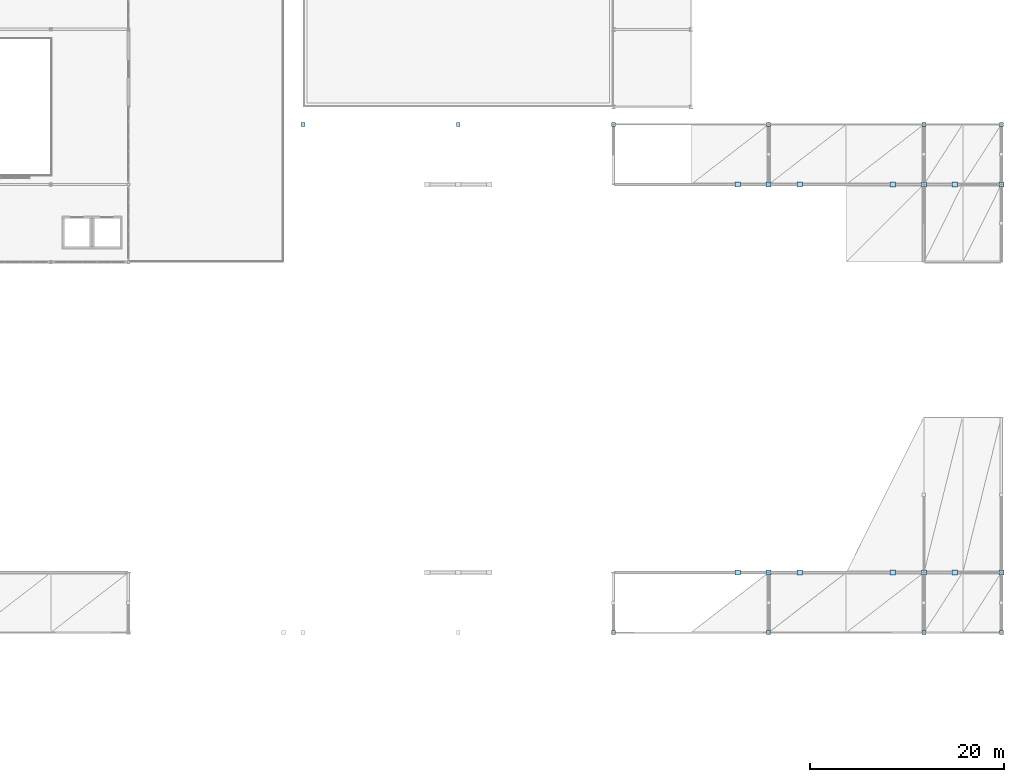
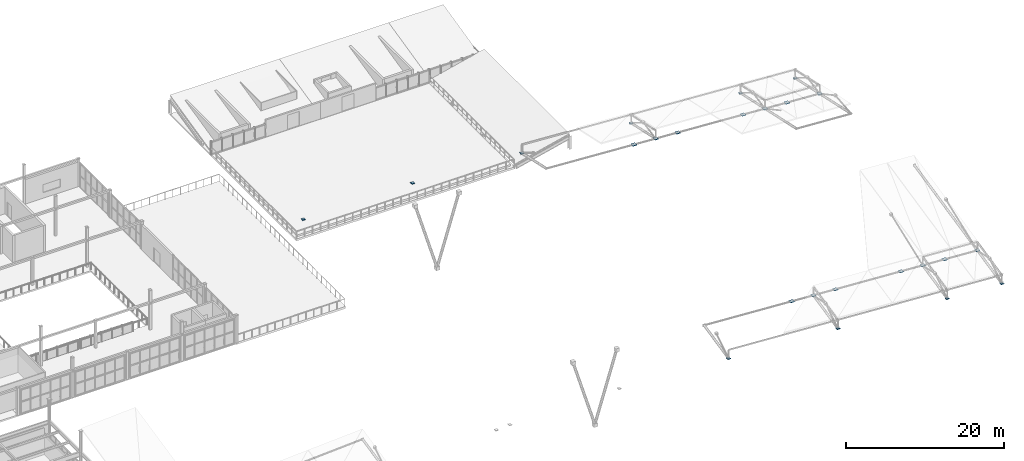
# One storey, part 53 of 83: 24 plates.
"""IFC4 building model written with IfcOpenShell, lengths in metres."""

from ifc_helpers import new_model, si_unit, direction, frame, origin, origin_2d, place, context, subcontext, project, spatial, rectangle, extrude, material, layer, layer_set, type_object, element, save


model = new_model("IFC4")

# Units and contexts
model_context = context("Model", 3, precision=1e-05, world=origin(), true_north=direction((0.0, 1.0)))
body_context = subcontext(model_context, "Body", "Model", "MODEL_VIEW")
ifc_project = project(units=[si_unit("LENGTHUNIT", "METRE"), si_unit("AREAUNIT", "SQUARE_METRE"), si_unit("VOLUMEUNIT", "CUBIC_METRE"), si_unit("PLANEANGLEUNIT", "RADIAN"), si_unit("MASSUNIT", "GRAM", prefix="KILO")], contexts=[model_context])

# Site, building, storey
site_placement = place(None, origin())
site = spatial("IfcSite", under=ifc_project, at=site_placement, CompositionType="ELEMENT")
building_placement = place(site_placement, origin())
building = spatial("IfcBuilding", under=site, at=building_placement, Name="Drelvath Fold Interchange", CompositionType="ELEMENT")
storey_placement = place(building_placement, frame((0.0, 0.0, 11.199951171875)))
storey = spatial("IfcBuildingStorey", under=building, at=storey_placement, Name="L02", CompositionType="ELEMENT", Elevation=11.199951171875)

# Plates
ifc_material = material(Name="Steel ASTM A572 Grade 50", Category="steel")
ifc_layer_1 = layer(ifc_material, 0.080078125, Name="Steel ASTM A572 Grade 50")
ifc_layer_set_1 = layer_set([ifc_layer_1], Name="Steel ASTM A572 Grade 50")
plate_type_1 = type_object("IfcPlateType", Name="SN-01", PredefinedType="USERDEFINED", material=ifc_layer_set_1)
for number, where, z_axis, x_axis, name in (
    (1, (150.0, 27.0, 3.573974609375), (0.0, 0.0, 1.0), (1.0, 0.0, 0.0), "Space frame column bearing node SN-01"),
    (2, (150.0, 67.0, 3.573974609375), (0.0, 0.0, 1.0), (1.0, 0.0, 0.0), "Space frame column bearing node SN-01"),
    (3, (166.0, 27.0, 2.612060546875), (0.0, 0.0, 1.0), (1.0, 0.0, 0.0), "Space frame column bearing node SN-01"),
    (4, (166.0, 67.0, 2.612060546875), (0.0, 0.0, 1.0), (1.0, 0.0, 0.0), "Space frame column bearing node SN-01"),
    (5, (174.0, 27.0, 2.131103515625), (0.0, 0.0, 1.0), (1.0, 0.0, 0.0), "Space frame column bearing node SN-01"),
    (6, (174.0, 67.0, 2.131103515625), (0.0, 0.0, 1.0), (1.0, 0.0, 0.0), "Space frame column bearing node SN-01"),
):
    element("IfcPlate", number, at=place(storey_placement, frame(where, z_axis=z_axis, x_axis=x_axis)), inside=storey, type_object=plate_type_1, Name=name, ObjectType="GUSSET PLATE", PredefinedType="USERDEFINED", context=body_context, shape_type="SweptSolid", body=[
        extrude(rectangle(XDim=0.52001953125, YDim=0.52001953125, at=origin_2d()), origin(), (0.0, 0.0, 1.0), 0.080078125),
    ])
ifc_layer_2 = layer(ifc_material, 0.050048828125, Name="Steel ASTM A572 Grade 50")
ifc_layer_set_2 = layer_set([ifc_layer_2], Name="Steel ASTM A572 Grade 50")
plate_type_2 = type_object("IfcPlateType", Name="SN-03", PredefinedType="SHEET", material=ifc_layer_set_2)
for number, where, z_axis, x_axis, name in (
    (7, (102.0, 73.199951171875, 4.162109375), (0.0, 0.0, 1.0), (1.0, 0.0, 0.0), "Space frame eave node SN-03"),
    (8, (118.0, 73.199951171875, 4.162109375), (0.0, 0.0, 1.0), (1.0, 0.0, 0.0), "Space frame eave node SN-03"),
    (9, (134.0, 20.800048828125, 3.2001953125), (0.0, 0.0, 1.0), (1.0, 0.0, 0.0), "Space frame eave node SN-03"),
    (10, (134.0, 73.199951171875, 3.2001953125), (0.0, 0.0, 1.0), (1.0, 0.0, 0.0), "Space frame eave node SN-03"),
    (11, (150.0, 20.800048828125, 2.23779296875), (0.0, 0.0, 1.0), (1.0, 0.0, 0.0), "Space frame eave node SN-03"),
    (12, (150.0, 73.199951171875, 2.23779296875), (0.0, 0.0, 1.0), (1.0, 0.0, 0.0), "Space frame eave node SN-03"),
    (13, (166.0, 20.800048828125, 1.27587890625), (0.0, 0.0, 1.0), (1.0, 0.0, 0.0), "Space frame eave node SN-03"),
    (14, (166.0, 73.199951171875, 1.27587890625), (0.0, 0.0, 1.0), (1.0, 0.0, 0.0), "Space frame eave node SN-03"),
    (15, (174.0, 20.800048828125, 0.7939453125), (0.0, 0.0, 1.0), (1.0, 0.0, 0.0), "Space frame eave node SN-03"),
    (16, (174.0, 73.199951171875, 0.7939453125), (0.0, 0.0, 1.0), (1.0, 0.0, 0.0), "Space frame eave node SN-03"),
):
    element("IfcPlate", number, at=place(storey_placement, frame(where, z_axis=z_axis, x_axis=x_axis)), inside=storey, type_object=plate_type_2, Name=name, PredefinedType="SHEET", context=body_context, shape_type="SweptSolid", body=[
        extrude(rectangle(XDim=0.39990234375, YDim=0.39990234375, at=origin_2d()), origin(), (0.0, 0.0, 1.0), 0.050048828125),
    ])
ifc_layer_3 = layer(ifc_material, 0.070068359375, Name="Steel ASTM A572 Grade 50")
ifc_layer_set_3 = layer_set([ifc_layer_3], Name="Steel ASTM A572 Grade 50")
plate_type_3 = type_object("IfcPlateType", Name="VN-02", PredefinedType="USERDEFINED", material=ifc_layer_set_3)
for number, where, z_axis, x_axis, name in (
    (17, (146.800048828125, 27.0, 3.77001953125), (0.0, 0.0, 1.0), (1.0, 0.0, 0.0), "Canopy V-strut head gusset VN-02"),
    (18, (153.199951171875, 27.0, 3.38525390625), (0.0, 0.0, 1.0), (1.0, 0.0, 0.0), "Canopy V-strut head gusset VN-02"),
    (19, (146.800048828125, 67.0, 3.77001953125), (0.0, 0.0, 1.0), (1.0, 0.0, 0.0), "Canopy V-strut head gusset VN-02"),
    (20, (153.199951171875, 67.0, 3.38525390625), (0.0, 0.0, 1.0), (1.0, 0.0, 0.0), "Canopy V-strut head gusset VN-02"),
    (21, (162.800048828125, 27.0, 2.80712890625), (0.0, 0.0, 1.0), (1.0, 0.0, 0.0), "Canopy V-strut head gusset VN-02"),
    (22, (169.199951171875, 27.0, 2.4228515625), (0.0, 0.0, 1.0), (1.0, 0.0, 0.0), "Canopy V-strut head gusset VN-02"),
    (23, (162.800048828125, 67.0, 2.80712890625), (0.0, 0.0, 1.0), (1.0, 0.0, 0.0), "Canopy V-strut head gusset VN-02"),
    (24, (169.199951171875, 67.0, 2.4228515625), (0.0, 0.0, 1.0), (1.0, 0.0, 0.0), "Canopy V-strut head gusset VN-02"),
):
    element("IfcPlate", number, at=place(storey_placement, frame(where, z_axis=z_axis, x_axis=x_axis)), inside=storey, type_object=plate_type_3, Name=name, ObjectType="GUSSET PLATE", PredefinedType="USERDEFINED", context=body_context, shape_type="SweptSolid", body=[
        extrude(rectangle(XDim=0.56005859375, YDim=0.56005859375, at=origin_2d()), origin(), (0.0, 0.0, 1.0), 0.070068359375),
    ])

save(model, "model.ifc")
